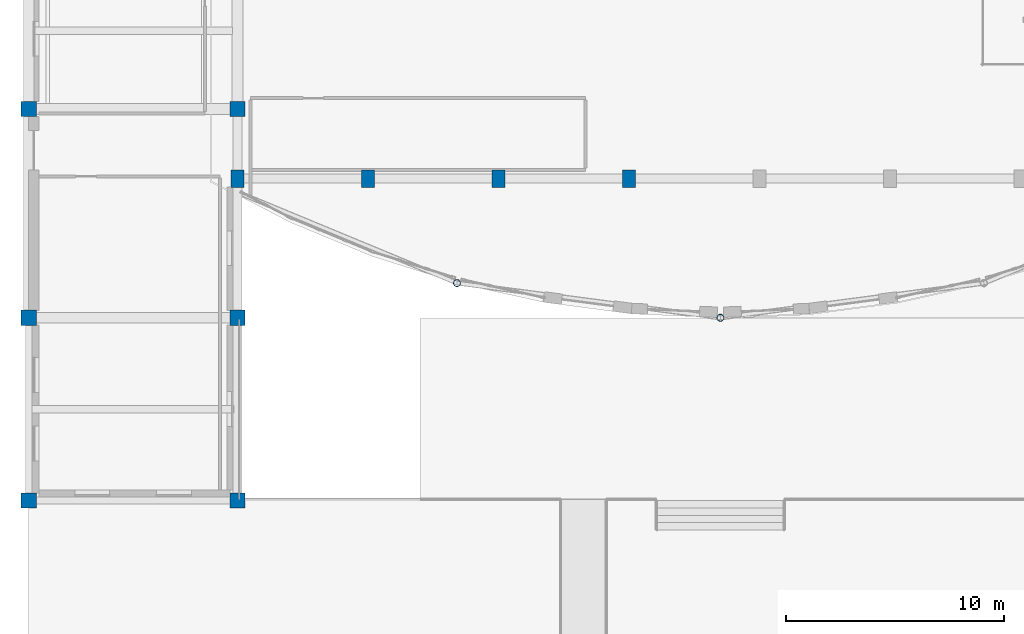
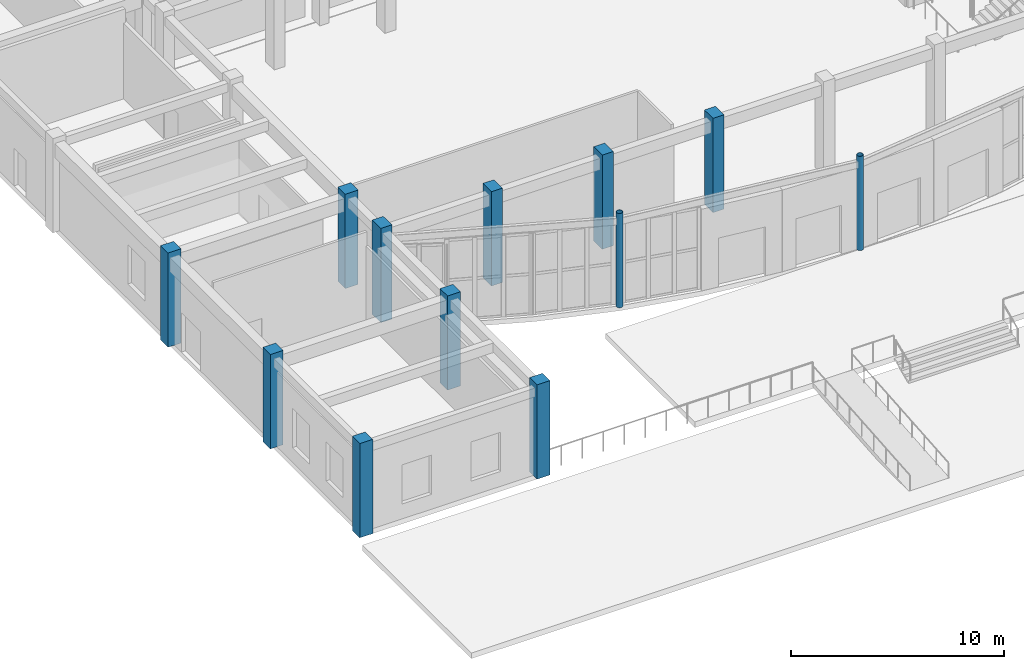
# One storey, part 1 of 98: 12 columns.
"""IFC4 building model written with IfcOpenShell, lengths in metres."""

from ifc_helpers import new_model, si_unit, direction, frame, origin, origin_2d, place, context, subcontext, project, spatial, rectangle, hollow_circle, extrude, material, material_profile, profile_set, type_object, element, save


model = new_model("IFC4")

# Units and contexts
model_context = context("Model", 3, precision=1e-05, world=origin(), true_north=direction((0.0, 1.0)))
body_context = subcontext(model_context, "Body", "Model", "MODEL_VIEW")
ifc_project = project(units=[si_unit("LENGTHUNIT", "METRE"), si_unit("AREAUNIT", "SQUARE_METRE"), si_unit("VOLUMEUNIT", "CUBIC_METRE"), si_unit("PLANEANGLEUNIT", "RADIAN"), si_unit("MASSUNIT", "GRAM", prefix="KILO")], contexts=[model_context])

# Site, building, storey
site_placement = place(None, origin())
site = spatial("IfcSite", under=ifc_project, at=site_placement, CompositionType="ELEMENT")
building_placement = place(site_placement, origin())
building = spatial("IfcBuilding", under=site, at=building_placement, Name="Tarnavel Promenade Courthouse", CompositionType="ELEMENT")
storey_placement = place(building_placement, origin())
storey = spatial("IfcBuildingStorey", under=building, at=storey_placement, Name="L01", CompositionType="ELEMENT", Elevation=0.0)

# Columns
ifc_material_1 = material(Name="Concrete C40/50", Category="concrete")
ifc_material_profile_1 = material_profile(ifc_material_1, rectangle(XDim=0.60009765625, YDim=0.800048828125, at=origin_2d()), Name="RC 600x800")
ifc_profile_set_1 = profile_set([ifc_material_profile_1], Name="Concrete C40/50")
column_type_1 = type_object("IfcColumnType", Name="Concrete C40/50 COL-RC600x800 (RC 600x800)", PredefinedType="COLUMN", material=ifc_profile_set_1)
for number, where, z_axis, x_axis, name in (
    (1, (9.60009765625, 14.800048828125, 0.0), (0.0, 0.0, 1.0), (1.0, 0.0, 0.0), "L01 Structural Column 0647"),
    (2, (15.60009765625, 14.800048828125, 0.0), (0.0, 0.0, 1.0), (1.0, 0.0, 0.0), "L01 Structural Column 0655"),
    (3, (21.60009765625, 14.800048828125, 0.0), (0.0, 0.0, 1.0), (1.0, 0.0, 0.0), "L01 Structural Column 0663"),
    (4, (27.60009765625, 14.800048828125, 0.0), (0.0, 0.0, 1.0), (1.0, 0.0, 0.0), "L01 Structural Column 0671"),
):
    element("IfcColumn", number, at=place(storey_placement, frame(where, z_axis=z_axis, x_axis=x_axis)), inside=storey, type_object=column_type_1, Name=name, PredefinedType="COLUMN", context=body_context, shape_type="SweptSolid", body=[
        extrude(rectangle(XDim=0.60009765625, YDim=0.800048828125, at=origin_2d()), origin(), (0.0, 0.0, 1.0), 5.39990234375),
    ])
ifc_material_profile_2 = material_profile(ifc_material_1, rectangle(XDim=0.699951171875, YDim=0.699951171875, at=origin_2d()), Name="RC 700x700")
ifc_profile_set_2 = profile_set([ifc_material_profile_2], Name="Concrete C40/50")
column_type_2 = type_object("IfcColumnType", Name="Concrete C40/50 COL-RC700-MID (RC 700x700)", PredefinedType="COLUMN", material=ifc_profile_set_2)
for number, where, z_axis, x_axis, name in (
    (5, (0.0, 0.0, 0.0), (0.0, 0.0, 1.0), (1.0, 0.0, 0.0), "L01 Structural Column 0615"),
    (6, (0.0, 8.39990234375, 0.0), (0.0, 0.0, 1.0), (1.0, 0.0, 0.0), "L01 Structural Column 0619"),
    (7, (0.0, 18.0, 0.0), (0.0, 0.0, 1.0), (1.0, 0.0, 0.0), "L01 Structural Column 0623"),
    (8, (9.60009765625, 0.0, 0.0), (0.0, 0.0, 1.0), (1.0, 0.0, 0.0), "L01 Structural Column 0631"),
    (9, (9.60009765625, 8.39990234375, 0.0), (0.0, 0.0, 1.0), (1.0, 0.0, 0.0), "L01 Structural Column 0635"),
    (10, (9.60009765625, 18.0, 0.0), (0.0, 0.0, 1.0), (1.0, 0.0, 0.0), "L01 Structural Column 0639"),
):
    element("IfcColumn", number, at=place(storey_placement, frame(where, z_axis=z_axis, x_axis=x_axis)), inside=storey, type_object=column_type_2, Name=name, PredefinedType="COLUMN", context=body_context, shape_type="SweptSolid", body=[
        extrude(rectangle(XDim=0.699951171875, YDim=0.699951171875, at=origin_2d()), origin(), (0.0, 0.0, 1.0), 5.39990234375),
    ])
ifc_material_2 = material(Name="Steel S355J2", Category="steel")
ifc_material_profile_3 = material_profile(ifc_material_2, hollow_circle(Radius=0.161865234375, WallThickness=0.012451171875, at=origin_2d()), Name="CHS 323.9x12.5")
ifc_profile_set_3 = profile_set([ifc_material_profile_3], Name="Steel S355J2")
column_type_3 = type_object("IfcColumnType", Name="Steel S355J2 COL-STL-CHS324 (CHS 323.9x12.5)", PredefinedType="COLUMN", material=ifc_profile_set_3)
for number, where, z_axis, x_axis, name in (
    (11, (19.687255859375, 9.99462890625, 0.0), (0.0, 0.0, 1.0), (1.0, 0.0, 0.0), "L01 Structural Column 0711"),
    (12, (31.800048828125, 8.39990234375, 0.0), (0.0, 0.0, 1.0), (1.0, 0.0, 0.0), "L01 Structural Column 0715"),
):
    element("IfcColumn", number, at=place(storey_placement, frame(where, z_axis=z_axis, x_axis=x_axis)), inside=storey, type_object=column_type_3, Name=name, PredefinedType="COLUMN", context=body_context, shape_type="SweptSolid", body=[
        extrude(hollow_circle(Radius=0.161865234375, WallThickness=0.012451171875, at=origin_2d()), origin(), (0.0, 0.0, 1.0), 5.39990234375),
    ])

save(model, "model.ifc")
